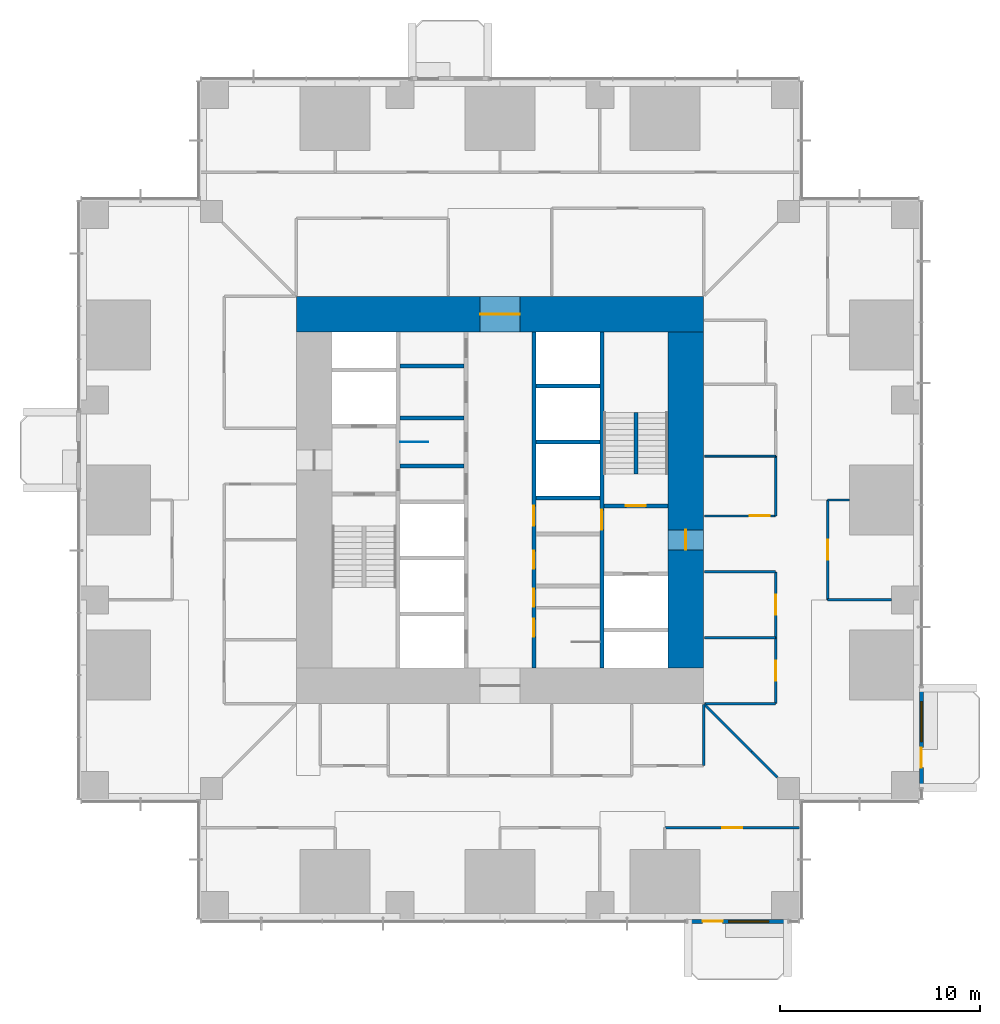
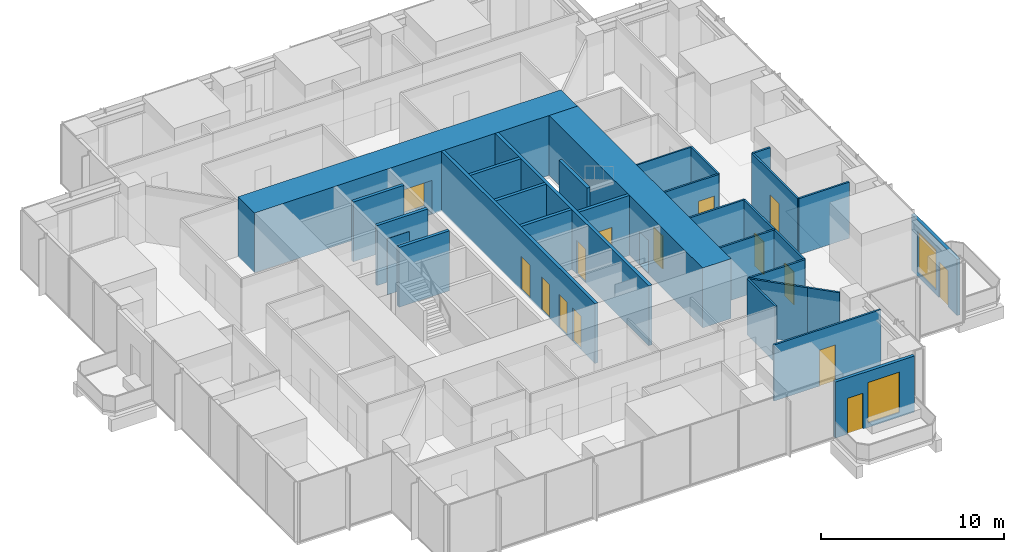
# One storey, part 11 of 16: 30 walls, 15 doors, 2 windows, 17 openings.
"""IFC4 building model written with IfcOpenShell, lengths in metres."""

from ifc_helpers import new_model, si_unit, direction, frame, frame_2d, origin, place, context, subcontext, project, spatial, rectangle, extrude, material, layer, layer_set, type_object, element, fill, save


model = new_model("IFC4")

# Units and contexts
model_context = context("Model", 3, precision=1e-05, world=origin(), true_north=direction((0.0, 1.0)))
body_context = subcontext(model_context, "Body", "Model", "MODEL_VIEW")
ifc_project = project(units=[si_unit("LENGTHUNIT", "METRE"), si_unit("AREAUNIT", "SQUARE_METRE"), si_unit("VOLUMEUNIT", "CUBIC_METRE"), si_unit("PLANEANGLEUNIT", "RADIAN"), si_unit("MASSUNIT", "GRAM", prefix="KILO")], contexts=[model_context])

# Site, building, storey
site_placement = place(None, origin())
site = spatial("IfcSite", under=ifc_project, at=site_placement, CompositionType="ELEMENT")
building_placement = place(site_placement, origin())
building = spatial("IfcBuilding", under=site, at=building_placement, Name="Svetlomir Tower", CompositionType="ELEMENT")
storey_placement = place(building_placement, frame((0.0, 0.0, 58.5)))
storey = spatial("IfcBuildingStorey", under=building, at=storey_placement, Name="L13", CompositionType="ELEMENT", Elevation=58.5)

# Wall, openings, door, window
ifc_material_1 = material(Name="Bronze anodised aluminium glazed screen", Category="aluminium")
ifc_layer_1 = layer(ifc_material_1, 0.199951171875)
ifc_layer_set_1 = layer_set([ifc_layer_1], Name="Bronze anodised aluminium glazed screen")
wall_type_1 = type_object("IfcWallType", Name="BALCONY SCREEN WALL 200", PredefinedType="USERDEFINED", material=ifc_layer_set_1)
wall_1_placement = place(storey_placement, frame((30.39990234375, -0.10009765625, 0.0), z_axis=(0.0, 0.0, 1.0), x_axis=(1.0, 0.0, 0.0)))
wall_1 = element("IfcWall", 1, at=wall_1_placement, inside=storey, type_object=wall_type_1, Name="Balcony screen S", ObjectType="GLAZED SCREEN", PredefinedType="USERDEFINED", context=body_context, shape_type="SweptSolid", body=[
    extrude(rectangle(XDim=5.0, YDim=0.199951171875, at=frame_2d((2.5, 0.0))), origin(), (0.0, 0.0, 1.0), 3.75),
])
opening_1_placement = place(wall_1_placement, frame((0.75, 0.0, 0.0)))
opening_1 = element("IfcOpeningElement", 2, at=opening_1_placement, cuts=wall_1, Name="Opening BD", PredefinedType="OPENING", context=body_context, shape_type="SweptSolid", body=[
    extrude(rectangle(XDim=1.0, YDim=2.39990234375, at=frame_2d((0.5, 1.199951171875))), frame((0.0, 0.10986328125, 0.0), z_axis=(0.0, -1.0, 0.0), x_axis=(1.0, 0.0, 0.0)), (0.0, 0.0, 1.0), 0.219970703125),
])
opening_2_placement = place(wall_1_placement, frame((2.050048828125, 0.0, 0.300048828125)))
opening_2 = element("IfcOpeningElement", 3, at=opening_2_placement, cuts=wall_1, Name="Opening WS", PredefinedType="OPENING", context=body_context, shape_type="SweptSolid", body=[
    extrude(rectangle(XDim=2.0, YDim=2.699951171875, at=frame_2d((1.0, 1.35009765625))), frame((0.0, 0.10986328125, 0.0), z_axis=(0.0, -1.0, 0.0), x_axis=(1.0, 0.0, 0.0)), (0.0, 0.0, 1.0), 0.219970703125),
])
ifc_material_2 = material(Name="Bronze anodised aluminium glazed door", Category="aluminium")
door_type_1 = type_object("IfcDoorType", Name="BALCONY DOOR BD 1000x2400", OperationType="SINGLE_SWING_LEFT", PredefinedType="DOOR", material=ifc_material_2)
door_1_placement = place(opening_1_placement, origin())
door_1 = element("IfcDoor", 4, at=door_1_placement, inside=storey, type_object=door_type_1, Name="Balcony screen S door", OperationType="SINGLE_SWING_LEFT", OverallHeight=2.39990234375, OverallWidth=1.0, PredefinedType="DOOR", context=body_context, shape_type="SweptSolid", body=[
    extrude(rectangle(XDim=1.0, YDim=2.39990234375, at=frame_2d((0.5, 1.199951171875))), frame((0.0, 0.02490234375, 0.0), z_axis=(0.0, -1.0, 0.0), x_axis=(1.0, 0.0, 0.0)), (0.0, 0.0, 1.0), 0.050048828125),
])
fill(opening_1, door_1)
ifc_material_3 = material(Name="Bronze anodised aluminium window", Category="aluminium")
window_type = type_object("IfcWindowType", Name="SCREEN WINDOW WS 2000x2700", PartitioningType="SINGLE_PANEL", PredefinedType="WINDOW", material=ifc_material_3)
window_1_placement = place(opening_2_placement, origin())
window_1 = element("IfcWindow", 5, at=window_1_placement, inside=storey, type_object=window_type, Name="Balcony screen S window 1", OverallHeight=2.699951171875, OverallWidth=2.0, PartitioningType="SINGLE_PANEL", PredefinedType="WINDOW", context=body_context, shape_type="SweptSolid", body=[
    extrude(rectangle(XDim=2.0, YDim=2.699951171875, at=frame_2d((1.0, 1.35009765625))), frame((0.0, 0.030029296875, 0.0), z_axis=(0.0, -1.0, 0.0), x_axis=(1.0, 0.0, 0.0)), (0.0, 0.0, 1.0), 0.06005859375),
])
fill(opening_2, window_1)

wall_2_placement = place(storey_placement, frame((42.10009765625, 6.60009765625, 0.0), z_axis=(0.0, 0.0, 1.0), x_axis=(0.0, 1.0, 0.0)))
wall_2 = element("IfcWall", 6, at=wall_2_placement, inside=storey, type_object=wall_type_1, Name="Balcony screen E", ObjectType="GLAZED SCREEN", PredefinedType="USERDEFINED", context=body_context, shape_type="SweptSolid", body=[
    extrude(rectangle(XDim=5.0, YDim=0.199951171875, at=frame_2d((2.5, 0.0))), origin(), (0.0, 0.0, 1.0), 3.75),
])
opening_3_placement = place(wall_2_placement, frame((1.0, 0.0, 0.0)))
opening_3 = element("IfcOpeningElement", 7, at=opening_3_placement, cuts=wall_2, Name="Opening BD", PredefinedType="OPENING", context=body_context, shape_type="SweptSolid", body=[
    extrude(rectangle(XDim=1.0, YDim=2.39990234375, at=frame_2d((0.5, 1.199951171875))), frame((0.0, 0.10986328125, 0.0), z_axis=(0.0, -1.0, 0.0), x_axis=(1.0, 0.0, 0.0)), (0.0, 0.0, 1.0), 0.219970703125),
])
opening_4_placement = place(wall_2_placement, frame((2.300048828125, 0.0, 0.300048828125)))
opening_4 = element("IfcOpeningElement", 8, at=opening_4_placement, cuts=wall_2, Name="Opening WS", PredefinedType="OPENING", context=body_context, shape_type="SweptSolid", body=[
    extrude(rectangle(XDim=2.0, YDim=2.699951171875, at=frame_2d((1.0, 1.35009765625))), frame((0.0, 0.10986328125, 0.0), z_axis=(0.0, -1.0, 0.0), x_axis=(1.0, 0.0, 0.0)), (0.0, 0.0, 1.0), 0.219970703125),
])
door_2_placement = place(opening_3_placement, origin())
door_2 = element("IfcDoor", 9, at=door_2_placement, inside=storey, type_object=door_type_1, Name="Balcony screen E door", OperationType="SINGLE_SWING_LEFT", OverallHeight=2.39990234375, OverallWidth=1.0, PredefinedType="DOOR", context=body_context, shape_type="SweptSolid", body=[
    extrude(rectangle(XDim=1.0, YDim=2.39990234375, at=frame_2d((0.5, 1.199951171875))), frame((0.0, 0.02490234375, 0.0), z_axis=(0.0, -1.0, 0.0), x_axis=(1.0, 0.0, 0.0)), (0.0, 0.0, 1.0), 0.050048828125),
])
fill(opening_3, door_2)
window_2_placement = place(opening_4_placement, origin())
window_2 = element("IfcWindow", 10, at=window_2_placement, inside=storey, type_object=window_type, Name="Balcony screen E window 1", OverallHeight=2.699951171875, OverallWidth=2.0, PartitioningType="SINGLE_PANEL", PredefinedType="WINDOW", context=body_context, shape_type="SweptSolid", body=[
    extrude(rectangle(XDim=2.0, YDim=2.699951171875, at=frame_2d((1.0, 1.35009765625))), frame((0.0, 0.030029296875, 0.0), z_axis=(0.0, -1.0, 0.0), x_axis=(1.0, 0.0, 0.0)), (0.0, 0.0, 1.0), 0.06005859375),
])
fill(opening_4, window_2)

# Wall, openings, doors
ifc_material_4 = material(Name="Concrete C60/75", Category="concrete")
ifc_layer_2 = layer(ifc_material_4, 0.199951171875)
ifc_layer_set_2 = layer_set([ifc_layer_2], Name="Concrete C60/75")
wall_type_2 = type_object("IfcWallType", Name="CORE INNER WALL 200", PredefinedType="SHEAR", material=ifc_layer_set_2)
wall_3_placement = place(storey_placement, frame((22.699951171875, 12.60009765625, -0.050048828125), z_axis=(0.0, 0.0, 1.0), x_axis=(0.0, 1.0, 0.0)))
wall_3 = element("IfcWall", 11, at=wall_3_placement, inside=storey, type_object=wall_type_2, Name="Core inner wall 22.7 L13", PredefinedType="SHEAR", context=body_context, shape_type="SweptSolid", body=[
    extrude(rectangle(XDim=16.7998046875, YDim=0.199951171875, at=frame_2d((8.39990234375, 0.0))), origin(), (0.0, 0.0, 1.0), 4.0),
])
opening_5_placement = place(wall_3_placement, frame((3.050048828125, 0.0, 0.050048828125)))
opening_5 = element("IfcOpeningElement", 12, at=opening_5_placement, cuts=wall_3, Name="Opening DW", PredefinedType="OPENING", context=body_context, shape_type="SweptSolid", body=[
    extrude(rectangle(XDim=0.89990234375, YDim=2.199951171875, at=frame_2d((0.449951171875, 1.10009765625))), frame((0.0, 0.10986328125, 0.0), z_axis=(0.0, -1.0, 0.0), x_axis=(1.0, 0.0, 0.0)), (0.0, 0.0, 1.0), 0.219970703125),
])
opening_6_placement = place(wall_3_placement, frame((7.10009765625, 0.0, 0.050048828125)))
opening_6 = element("IfcOpeningElement", 13, at=opening_6_placement, cuts=wall_3, Name="Opening DC", PredefinedType="OPENING", context=body_context, shape_type="SweptSolid", body=[
    extrude(rectangle(XDim=1.0, YDim=2.199951171875, at=frame_2d((0.5, 1.10009765625))), frame((0.0, 0.10986328125, 0.0), z_axis=(0.0, -1.0, 0.0), x_axis=(1.0, 0.0, 0.0)), (0.0, 0.0, 1.0), 0.219970703125),
])
opening_7_placement = place(wall_3_placement, frame((1.550048828125, 0.0, 0.050048828125)))
opening_7 = element("IfcOpeningElement", 14, at=opening_7_placement, cuts=wall_3, Name="Opening DW", PredefinedType="OPENING", context=body_context, shape_type="SweptSolid", body=[
    extrude(rectangle(XDim=0.89990234375, YDim=2.199951171875, at=frame_2d((0.449951171875, 1.10009765625))), frame((0.0, 0.10986328125, 0.0), z_axis=(0.0, -1.0, 0.0), x_axis=(1.0, 0.0, 0.0)), (0.0, 0.0, 1.0), 0.219970703125),
])
opening_8_placement = place(wall_3_placement, frame((4.949951171875, 0.0, 0.050048828125)))
opening_8 = element("IfcOpeningElement", 15, at=opening_8_placement, cuts=wall_3, Name="Opening DW", PredefinedType="OPENING", context=body_context, shape_type="SweptSolid", body=[
    extrude(rectangle(XDim=0.89990234375, YDim=2.199951171875, at=frame_2d((0.449951171875, 1.10009765625))), frame((0.0, 0.10986328125, 0.0), z_axis=(0.0, -1.0, 0.0), x_axis=(1.0, 0.0, 0.0)), (0.0, 0.0, 1.0), 0.219970703125),
])
ifc_material_5 = material(Name="Timber fire door", Category="wood")
door_type_2 = type_object("IfcDoorType", Name="DOOR DC 1000x2200", OperationType="SINGLE_SWING_LEFT", PredefinedType="DOOR", material=ifc_material_5)
door_3_placement = place(opening_6_placement, origin())
door_3 = element("IfcDoor", 16, at=door_3_placement, inside=storey, type_object=door_type_2, Name="Core corridor east lobby door L13", OperationType="SINGLE_SWING_LEFT", OverallHeight=2.199951171875, OverallWidth=1.0, PredefinedType="DOOR", context=body_context, shape_type="SweptSolid", body=[
    extrude(rectangle(XDim=1.0, YDim=2.199951171875, at=frame_2d((0.5, 1.10009765625))), frame((0.0, 0.02490234375, 0.0), z_axis=(0.0, -1.0, 0.0), x_axis=(1.0, 0.0, 0.0)), (0.0, 0.0, 1.0), 0.050048828125),
])
fill(opening_6, door_3)
ifc_material_6 = material(Name="Timber fire door", Category="wood")
door_type_3 = type_object("IfcDoorType", Name="DOOR DW 900x2200", OperationType="SINGLE_SWING_LEFT", PredefinedType="DOOR", material=ifc_material_6)
door_4_placement = place(opening_5_placement, origin())
door_4 = element("IfcDoor", 17, at=door_4_placement, inside=storey, type_object=door_type_3, Name="Shower and changing room door L13", OperationType="SINGLE_SWING_LEFT", OverallHeight=2.199951171875, OverallWidth=0.89990234375, PredefinedType="DOOR", context=body_context, shape_type="SweptSolid", body=[
    extrude(rectangle(XDim=0.89990234375, YDim=2.199951171875, at=frame_2d((0.449951171875, 1.10009765625))), frame((0.0, 0.02490234375, 0.0), z_axis=(0.0, -1.0, 0.0), x_axis=(1.0, 0.0, 0.0)), (0.0, 0.0, 1.0), 0.050048828125),
])
fill(opening_5, door_4)
door_5_placement = place(opening_7_placement, origin())
door_5 = element("IfcDoor", 18, at=door_5_placement, inside=storey, type_object=door_type_3, Name="Male WC door L13", OperationType="SINGLE_SWING_RIGHT", OverallHeight=2.199951171875, OverallWidth=0.89990234375, PredefinedType="DOOR", context=body_context, shape_type="SweptSolid", body=[
    extrude(rectangle(XDim=0.89990234375, YDim=2.199951171875, at=frame_2d((0.449951171875, 1.10009765625))), frame((0.0, 0.02490234375, 0.0), z_axis=(0.0, -1.0, 0.0), x_axis=(1.0, 0.0, 0.0)), (0.0, 0.0, 1.0), 0.050048828125),
])
fill(opening_7, door_5)
door_6_placement = place(opening_8_placement, origin())
door_6 = element("IfcDoor", 19, at=door_6_placement, inside=storey, type_object=door_type_3, Name="Comms room door L13", OperationType="SINGLE_SWING_RIGHT", OverallHeight=2.199951171875, OverallWidth=0.89990234375, PredefinedType="DOOR", context=body_context, shape_type="SweptSolid", body=[
    extrude(rectangle(XDim=0.89990234375, YDim=2.199951171875, at=frame_2d((0.449951171875, 1.10009765625))), frame((0.0, 0.02490234375, 0.0), z_axis=(0.0, -1.0, 0.0), x_axis=(1.0, 0.0, 0.0)), (0.0, 0.0, 1.0), 0.050048828125),
])
fill(opening_8, door_6)

# Wall, opening, door
wall_4_placement = place(storey_placement, frame((26.10009765625, 12.60009765625, -0.050048828125), z_axis=(0.0, 0.0, 1.0), x_axis=(0.0, 1.0, 0.0)))
wall_4 = element("IfcWall", 20, at=wall_4_placement, inside=storey, type_object=wall_type_2, Name="Core inner wall 26.1 L13", PredefinedType="SHEAR", context=body_context, shape_type="SweptSolid", body=[
    extrude(rectangle(XDim=16.7998046875, YDim=0.199951171875, at=frame_2d((8.39990234375, 0.0))), origin(), (0.0, 0.0, 1.0), 4.0),
])
opening_9_placement = place(wall_4_placement, frame((6.89990234375, 0.0, 0.050048828125)))
opening_9 = element("IfcOpeningElement", 21, at=opening_9_placement, cuts=wall_4, Name="Opening DF", PredefinedType="OPENING", context=body_context, shape_type="SweptSolid", body=[
    extrude(rectangle(XDim=1.0, YDim=2.199951171875, at=frame_2d((0.5, 1.10009765625))), frame((0.0, 0.10986328125, 0.0), z_axis=(0.0, -1.0, 0.0), x_axis=(1.0, 0.0, 0.0)), (0.0, 0.0, 1.0), 0.219970703125),
])
ifc_material_7 = material(Name="Steel fire door", Category="steel")
door_type_4 = type_object("IfcDoorType", Name="DOOR DF 1000x2200", OperationType="SINGLE_SWING_LEFT", PredefinedType="DOOR", material=ifc_material_7)
door_7_placement = place(opening_9_placement, origin())
door_7 = element("IfcDoor", 22, at=door_7_placement, inside=storey, type_object=door_type_4, Name="Core corridor east door L13", OperationType="SINGLE_SWING_LEFT", OverallHeight=2.199951171875, OverallWidth=1.0, PredefinedType="DOOR", context=body_context, shape_type="SweptSolid", body=[
    extrude(rectangle(XDim=1.0, YDim=2.199951171875, at=frame_2d((0.5, 1.10009765625))), frame((0.0, 0.02490234375, 0.0), z_axis=(0.0, -1.0, 0.0), x_axis=(1.0, 0.0, 0.0)), (0.0, 0.0, 1.0), 0.050048828125),
])
fill(opening_9, door_7)

# Walls
for number, where, z_axis, x_axis, name in (
    (23, (16.0, 22.699951171875, -0.050048828125), (0.0, 0.0, 1.0), (1.0, 0.0, 0.0), "Core inner wall 16-19.2/22.7 L13"),
    (24, (16.0, 25.10009765625, -0.050048828125), (0.0, 0.0, 1.0), (1.0, 0.0, 0.0), "Core inner wall 16-19.2/25.1 L13"),
    (25, (16.0, 27.699951171875, -0.050048828125), (0.0, 0.0, 1.0), (1.0, 0.0, 0.0), "Core inner wall 16-19.2/27.7 L13"),
    (26, (22.800048828125, 21.10009765625, -0.050048828125), (0.0, 0.0, 1.0), (1.0, 0.0, 0.0), "Core inner wall 22.8-26/21.1 L13"),
    (27, (22.800048828125, 23.89990234375, -0.050048828125), (0.0, 0.0, 1.0), (1.0, 0.0, 0.0), "Core inner wall 22.8-26/23.9 L13"),
    (28, (22.800048828125, 26.699951171875, -0.050048828125), (0.0, 0.0, 1.0), (1.0, 0.0, 0.0), "Core inner wall 22.8-26/26.7 L13"),
):
    element("IfcWall", number, at=place(storey_placement, frame(where, z_axis=z_axis, x_axis=x_axis)), inside=storey, type_object=wall_type_2, Name=name, PredefinedType="SHEAR", context=body_context, shape_type="SweptSolid", body=[
        extrude(rectangle(XDim=3.199951171875, YDim=0.199951171875, at=frame_2d((1.60009765625, 0.0))), origin(), (0.0, 0.0, 1.0), 4.0),
    ])

# Wall, opening, door
wall_5_placement = place(storey_placement, frame((26.199951171875, 20.699951171875, -0.050048828125), z_axis=(0.0, 0.0, 1.0), x_axis=(1.0, 0.0, 0.0)))
wall_5 = element("IfcWall", 29, at=wall_5_placement, inside=storey, type_object=wall_type_2, Name="Core inner wall 26.2-29.4/20.7 L13", PredefinedType="SHEAR", context=body_context, shape_type="SweptSolid", body=[
    extrude(rectangle(XDim=3.199951171875, YDim=0.199951171875, at=frame_2d((1.60009765625, 0.0))), origin(), (0.0, 0.0, 1.0), 4.0),
])
opening_10_placement = place(wall_5_placement, frame((1.10009765625, 0.0, 0.050048828125)))
opening_10 = element("IfcOpeningElement", 30, at=opening_10_placement, cuts=wall_5, Name="Opening DF", PredefinedType="OPENING", context=body_context, shape_type="SweptSolid", body=[
    extrude(rectangle(XDim=1.0, YDim=2.199951171875, at=frame_2d((0.5, 1.10009765625))), frame((0.0, 0.10986328125, 0.0), z_axis=(0.0, -1.0, 0.0), x_axis=(1.0, 0.0, 0.0)), (0.0, 0.0, 1.0), 0.219970703125),
])
door_8_placement = place(opening_10_placement, origin())
door_8 = element("IfcDoor", 31, at=door_8_placement, inside=storey, type_object=door_type_4, Name="Stair S2 door L13", OperationType="SINGLE_SWING_LEFT", OverallHeight=2.199951171875, OverallWidth=1.0, PredefinedType="DOOR", context=body_context, shape_type="SweptSolid", body=[
    extrude(rectangle(XDim=1.0, YDim=2.199951171875, at=frame_2d((0.5, 1.10009765625))), frame((0.0, 0.02490234375, 0.0), z_axis=(0.0, -1.0, 0.0), x_axis=(1.0, 0.0, 0.0)), (0.0, 0.0, 1.0), 0.050048828125),
])
fill(opening_10, door_8)

ifc_material_8 = material(Name="Concrete C60/75", Category="concrete")
ifc_layer_3 = layer(ifc_material_8, 1.800048828125)
ifc_layer_set_3 = layer_set([ifc_layer_3], Name="Concrete C60/75")
wall_type_3 = type_object("IfcWallType", Name="CORE WALL 1800", PredefinedType="SHEAR", material=ifc_layer_set_3)
wall_6_placement = place(storey_placement, frame((10.800048828125, 30.300048828125, -0.050048828125), z_axis=(0.0, 0.0, 1.0), x_axis=(1.0, 0.0, 0.0)))
wall_6 = element("IfcWall", 32, at=wall_6_placement, inside=storey, type_object=wall_type_3, Name="Core wall north L13", PredefinedType="SHEAR", context=body_context, shape_type="SweptSolid", body=[
    extrude(rectangle(XDim=20.39990234375, YDim=1.800048828125, at=frame_2d((10.199951171875, 0.0))), origin(), (0.0, 0.0, 1.0), 4.0),
])
opening_11_placement = place(wall_6_placement, frame((9.199951171875, 0.0, 0.050048828125)))
opening_11 = element("IfcOpeningElement", 33, at=opening_11_placement, cuts=wall_6, Name="Opening DL", PredefinedType="OPENING", context=body_context, shape_type="SweptSolid", body=[
    extrude(rectangle(XDim=2.0, YDim=2.199951171875, at=frame_2d((1.0, 1.10009765625))), frame((0.0, 0.91015625, 0.0), z_axis=(0.0, -1.0, 0.0), x_axis=(1.0, 0.0, 0.0)), (0.0, 0.0, 1.0), 1.820068359375),
])
ifc_material_9 = material(Name="Steel fire door", Category="steel")
door_type_5 = type_object("IfcDoorType", Name="DOOR DL 2000x2200", OperationType="DOUBLE_DOOR_SINGLE_SWING", PredefinedType="DOOR", material=ifc_material_9)
door_9_placement = place(opening_11_placement, origin())
door_9 = element("IfcDoor", 34, at=door_9_placement, inside=storey, type_object=door_type_5, Name="Lift lobby north door L13", OperationType="DOUBLE_DOOR_SINGLE_SWING", OverallHeight=2.199951171875, OverallWidth=2.0, PredefinedType="DOOR", context=body_context, shape_type="SweptSolid", body=[
    extrude(rectangle(XDim=2.0, YDim=2.199951171875, at=frame_2d((1.0, 1.10009765625))), frame((0.0, 0.02490234375, 0.0), z_axis=(0.0, -1.0, 0.0), x_axis=(1.0, 0.0, 0.0)), (0.0, 0.0, 1.0), 0.050048828125),
])
fill(opening_11, door_9)

wall_7_placement = place(storey_placement, frame((30.300048828125, 12.60009765625, -0.050048828125), z_axis=(0.0, 0.0, 1.0), x_axis=(0.0, 1.0, 0.0)))
wall_7 = element("IfcWall", 35, at=wall_7_placement, inside=storey, type_object=wall_type_3, Name="Core wall east L13", PredefinedType="SHEAR", context=body_context, shape_type="SweptSolid", body=[
    extrude(rectangle(XDim=16.7998046875, YDim=1.800048828125, at=frame_2d((8.39990234375, 0.0))), origin(), (0.0, 0.0, 1.0), 4.0),
])
opening_12_placement = place(wall_7_placement, frame((5.89990234375, 0.0, 0.050048828125)))
opening_12 = element("IfcOpeningElement", 36, at=opening_12_placement, cuts=wall_7, Name="Opening DF", PredefinedType="OPENING", context=body_context, shape_type="SweptSolid", body=[
    extrude(rectangle(XDim=1.0, YDim=2.199951171875, at=frame_2d((0.5, 1.10009765625))), frame((0.0, 0.91015625, 0.0), z_axis=(0.0, -1.0, 0.0), x_axis=(1.0, 0.0, 0.0)), (0.0, 0.0, 1.0), 1.820068359375),
])
door_10_placement = place(opening_12_placement, origin())
door_10 = element("IfcDoor", 37, at=door_10_placement, inside=storey, type_object=door_type_4, Name="Firefighting lobby east door L13", OperationType="SINGLE_SWING_LEFT", OverallHeight=2.199951171875, OverallWidth=1.0, PredefinedType="DOOR", context=body_context, shape_type="SweptSolid", body=[
    extrude(rectangle(XDim=1.0, YDim=2.199951171875, at=frame_2d((0.5, 1.10009765625))), frame((0.0, 0.02490234375, 0.0), z_axis=(0.0, -1.0, 0.0), x_axis=(1.0, 0.0, 0.0)), (0.0, 0.0, 1.0), 0.050048828125),
])
fill(opening_12, door_10)

# Wall
ifc_material_10 = material(Name="Framed laminated glass partition", Category="glass")
ifc_layer_4 = layer(ifc_material_10, 0.10009765625)
ifc_layer_set_4 = layer_set([ifc_layer_4], Name="Framed laminated glass partition")
wall_type_4 = type_object("IfcWallType", Name="GLAZED PARTITION 100", PredefinedType="PARTITIONING", material=ifc_layer_set_4)
wall_8_placement = place(storey_placement, frame((31.25, 23.199951171875, 0.0), z_axis=(0.0, 0.0, 1.0), x_axis=(1.0, 0.0, 0.0)))
element("IfcWall", 38, at=wall_8_placement, inside=storey, type_object=wall_type_4, Name="Glazed partition L13", PredefinedType="PARTITIONING", context=body_context, shape_type="SweptSolid", body=[
    extrude(rectangle(XDim=3.550048828125, YDim=0.10009765625, at=frame_2d((1.77490234375, 0.0))), origin(), (0.0, 0.0, 1.0), 3.75),
])

# Wall, opening, door
ifc_material_11 = material(Name="Gypsum board on steel studs", Category="steel")
ifc_layer_5 = layer(ifc_material_11, 0.1201171875)
ifc_layer_set_5 = layer_set([ifc_layer_5], Name="Gypsum board on steel studs")
wall_type_5 = type_object("IfcWallType", Name="PARTITION 120", PredefinedType="PARTITIONING", material=ifc_layer_set_5)
wall_9_placement = place(storey_placement, frame((29.25, 4.60009765625, 0.0), z_axis=(0.0, 0.0, 1.0), x_axis=(1.0, 0.0, 0.0)))
wall_9 = element("IfcWall", 39, at=wall_9_placement, inside=storey, type_object=wall_type_5, Name="Partition L13", PredefinedType="PARTITIONING", context=body_context, shape_type="SweptSolid", body=[
    extrude(rectangle(XDim=6.75, YDim=0.1201171875, at=frame_2d((3.375, 0.0))), origin(), (0.0, 0.0, 1.0), 3.75),
])
opening_13_placement = place(wall_9_placement, frame((2.875, 0.0, 0.0)))
opening_13 = element("IfcOpeningElement", 40, at=opening_13_placement, cuts=wall_9, Name="Opening DG", PredefinedType="OPENING", context=body_context, shape_type="SweptSolid", body=[
    extrude(rectangle(XDim=1.0, YDim=2.39990234375, at=frame_2d((0.5, 1.199951171875))), frame((0.0, 0.070068359375, 0.0), z_axis=(0.0, -1.0, 0.0), x_axis=(1.0, 0.0, 0.0)), (0.0, 0.0, 1.0), 0.14013671875),
])
ifc_material_12 = material(Name="Framed laminated glass door", Category="glass")
door_type_6 = type_object("IfcDoorType", Name="GLAZED DOOR DG 1000x2400", OperationType="SINGLE_SWING_LEFT", PredefinedType="DOOR", material=ifc_material_12)
door_11_placement = place(opening_13_placement, origin())
door_11 = element("IfcDoor", 41, at=door_11_placement, inside=storey, type_object=door_type_6, Name="Break-out and kitchenette door L13", OperationType="SINGLE_SWING_LEFT", OverallHeight=2.39990234375, OverallWidth=1.0, PredefinedType="DOOR", context=body_context, shape_type="SweptSolid", body=[
    extrude(rectangle(XDim=1.0, YDim=2.39990234375, at=frame_2d((0.5, 1.199951171875))), frame((0.0, 0.02490234375, 0.0), z_axis=(0.0, -1.0, 0.0), x_axis=(1.0, 0.0, 0.0)), (0.0, 0.0, 1.0), 0.050048828125),
])
fill(opening_13, door_11)

# Walls
wall_10_placement = place(storey_placement, frame((31.199951171875, 7.699951171875, 0.0), z_axis=(0.0, 0.0, 1.0), x_axis=(0.0, 1.0, 0.0)))
element("IfcWall", 42, at=wall_10_placement, inside=storey, type_object=wall_type_5, Name="Partition L13", PredefinedType="PARTITIONING", context=body_context, shape_type="SweptSolid", body=[
    extrude(rectangle(XDim=3.050048828125, YDim=0.1201171875, at=frame_2d((1.52490234375, 0.0))), origin(), (0.0, 0.0, 1.0), 3.75),
])
wall_11_placement = place(storey_placement, frame((31.2353515625, 10.7646484375, 0.0), z_axis=(0.0, 0.0, 1.0), x_axis=(0.707106781187, -0.707106781187, 0.0)))
element("IfcWall", 43, at=wall_11_placement, inside=storey, type_object=wall_type_5, Name="Partition L13", PredefinedType="PARTITIONING", context=body_context, shape_type="SweptSolid", body=[
    extrude(rectangle(XDim=3.346435546875, YDim=0.1201171875, at=frame_2d((1.67333984375, 0.0))), origin(), (0.0, 0.0, 1.0), 3.75),
])
for number, where, z_axis, x_axis, name in (
    (44, (31.25, 10.800048828125, 0.0), (0.0, 0.0, 1.0), (1.0, 0.0, 0.0), "Partition L13"),
    (45, (31.25, 14.10009765625, 0.0), (0.0, 0.0, 1.0), (1.0, 0.0, 0.0), "Partition L13"),
    (46, (31.25, 17.39990234375, 0.0), (0.0, 0.0, 1.0), (1.0, 0.0, 0.0), "Partition L13"),
):
    element("IfcWall", number, at=place(storey_placement, frame(where, z_axis=z_axis, x_axis=x_axis)), inside=storey, type_object=wall_type_5, Name=name, PredefinedType="PARTITIONING", context=body_context, shape_type="SweptSolid", body=[
        extrude(rectangle(XDim=3.550048828125, YDim=0.1201171875, at=frame_2d((1.77490234375, 0.0))), origin(), (0.0, 0.0, 1.0), 3.75),
    ])

# Wall, opening, door
wall_12_placement = place(storey_placement, frame((31.25, 20.199951171875, 0.0), z_axis=(0.0, 0.0, 1.0), x_axis=(1.0, 0.0, 0.0)))
wall_12 = element("IfcWall", 47, at=wall_12_placement, inside=storey, type_object=wall_type_5, Name="Partition L13", PredefinedType="PARTITIONING", context=body_context, shape_type="SweptSolid", body=[
    extrude(rectangle(XDim=3.550048828125, YDim=0.1201171875, at=frame_2d((1.77490234375, 0.0))), origin(), (0.0, 0.0, 1.0), 3.75),
])
opening_14_placement = place(wall_12_placement, frame((2.25, 0.0, 0.0)))
opening_14 = element("IfcOpeningElement", 48, at=opening_14_placement, cuts=wall_12, Name="Opening DG", PredefinedType="OPENING", context=body_context, shape_type="SweptSolid", body=[
    extrude(rectangle(XDim=1.0, YDim=2.39990234375, at=frame_2d((0.5, 1.199951171875))), frame((0.0, 0.070068359375, 0.0), z_axis=(0.0, -1.0, 0.0), x_axis=(1.0, 0.0, 0.0)), (0.0, 0.0, 1.0), 0.14013671875),
])
door_12_placement = place(opening_14_placement, origin())
door_12 = element("IfcDoor", 49, at=door_12_placement, inside=storey, type_object=door_type_6, Name="Ring corridor 3 door 3 L13", OperationType="SINGLE_SWING_RIGHT", OverallHeight=2.39990234375, OverallWidth=1.0, PredefinedType="DOOR", context=body_context, shape_type="SweptSolid", body=[
    extrude(rectangle(XDim=1.0, YDim=2.39990234375, at=frame_2d((0.5, 1.199951171875))), frame((0.0, 0.02490234375, 0.0), z_axis=(0.0, -1.0, 0.0), x_axis=(1.0, 0.0, 0.0)), (0.0, 0.0, 1.0), 0.050048828125),
])
fill(opening_14, door_12)

# Wall
wall_13_placement = place(storey_placement, frame((33.6015625, 8.3984375, 0.0), z_axis=(0.0, 0.0, 1.0), x_axis=(0.707106781187, -0.707106781187, 0.0)))
element("IfcWall", 50, at=wall_13_placement, inside=storey, type_object=wall_type_5, Name="Partition L13", PredefinedType="PARTITIONING", context=body_context, shape_type="SweptSolid", body=[
    extrude(rectangle(XDim=1.822021484375, YDim=0.1201171875, at=frame_2d((0.9111328125, 0.0))), origin(), (0.0, 0.0, 1.0), 3.75),
])

# Wall, opening, door
wall_14_placement = place(storey_placement, frame((34.800048828125, 10.800048828125, 0.0), z_axis=(0.0, 0.0, 1.0), x_axis=(0.0, 1.0, 0.0)))
wall_14 = element("IfcWall", 51, at=wall_14_placement, inside=storey, type_object=wall_type_5, Name="Partition L13", PredefinedType="PARTITIONING", context=body_context, shape_type="SweptSolid", body=[
    extrude(rectangle(XDim=3.300048828125, YDim=0.1201171875, at=frame_2d((1.64990234375, 0.0))), origin(), (0.0, 0.0, 1.0), 3.75),
])
opening_15_placement = place(wall_14_placement, frame((1.14990234375, 0.0, 0.0)))
opening_15 = element("IfcOpeningElement", 52, at=opening_15_placement, cuts=wall_14, Name="Opening DR", PredefinedType="OPENING", context=body_context, shape_type="SweptSolid", body=[
    extrude(rectangle(XDim=1.0, YDim=2.199951171875, at=frame_2d((0.5, 1.10009765625))), frame((0.0, 0.070068359375, 0.0), z_axis=(0.0, -1.0, 0.0), x_axis=(1.0, 0.0, 0.0)), (0.0, 0.0, 1.0), 0.14013671875),
])
ifc_material_13 = material(Name="Timber door, glazed side light", Category="wood")
door_type_7 = type_object("IfcDoorType", Name="DOOR DR 1000x2200", OperationType="SINGLE_SWING_LEFT", PredefinedType="DOOR", material=ifc_material_13)
door_13_placement = place(opening_15_placement, origin())
door_13 = element("IfcDoor", 53, at=door_13_placement, inside=storey, type_object=door_type_7, Name="Team leader office door L13", OperationType="SINGLE_SWING_RIGHT", OverallHeight=2.199951171875, OverallWidth=1.0, PredefinedType="DOOR", context=body_context, shape_type="SweptSolid", body=[
    extrude(rectangle(XDim=1.0, YDim=2.199951171875, at=frame_2d((0.5, 1.10009765625))), frame((0.0, 0.02490234375, 0.0), z_axis=(0.0, -1.0, 0.0), x_axis=(1.0, 0.0, 0.0)), (0.0, 0.0, 1.0), 0.050048828125),
])
fill(opening_15, door_13)

wall_15_placement = place(storey_placement, frame((34.800048828125, 14.10009765625, 0.0), z_axis=(0.0, 0.0, 1.0), x_axis=(0.0, 1.0, 0.0)))
wall_15 = element("IfcWall", 54, at=wall_15_placement, inside=storey, type_object=wall_type_5, Name="Partition L13", PredefinedType="PARTITIONING", context=body_context, shape_type="SweptSolid", body=[
    extrude(rectangle(XDim=3.2998046875, YDim=0.1201171875, at=frame_2d((1.64990234375, 0.0))), origin(), (0.0, 0.0, 1.0), 3.75),
])
opening_16_placement = place(wall_15_placement, frame((1.14990234375, 0.0, 0.0)))
opening_16 = element("IfcOpeningElement", 55, at=opening_16_placement, cuts=wall_15, Name="Opening DR", PredefinedType="OPENING", context=body_context, shape_type="SweptSolid", body=[
    extrude(rectangle(XDim=1.0, YDim=2.199951171875, at=frame_2d((0.5, 1.10009765625))), frame((0.0, 0.070068359375, 0.0), z_axis=(0.0, -1.0, 0.0), x_axis=(1.0, 0.0, 0.0)), (0.0, 0.0, 1.0), 0.14013671875),
])
door_14_placement = place(opening_16_placement, origin())
door_14 = element("IfcDoor", 56, at=door_14_placement, inside=storey, type_object=door_type_7, Name="Section head office door L13", OperationType="SINGLE_SWING_LEFT", OverallHeight=2.199951171875, OverallWidth=1.0, PredefinedType="DOOR", context=body_context, shape_type="SweptSolid", body=[
    extrude(rectangle(XDim=1.0, YDim=2.199951171875, at=frame_2d((0.5, 1.10009765625))), frame((0.0, 0.02490234375, 0.0), z_axis=(0.0, -1.0, 0.0), x_axis=(1.0, 0.0, 0.0)), (0.0, 0.0, 1.0), 0.050048828125),
])
fill(opening_16, door_14)

# Wall
wall_16_placement = place(storey_placement, frame((34.800048828125, 20.199951171875, 0.0), z_axis=(0.0, 0.0, 1.0), x_axis=(0.0, 1.0, 0.0)))
element("IfcWall", 57, at=wall_16_placement, inside=storey, type_object=wall_type_5, Name="Partition L13", PredefinedType="PARTITIONING", context=body_context, shape_type="SweptSolid", body=[
    extrude(rectangle(XDim=3.0, YDim=0.1201171875, at=frame_2d((1.5, 0.0))), origin(), (0.0, 0.0, 1.0), 3.75),
])

# Wall, opening, door
wall_17_placement = place(storey_placement, frame((37.39990234375, 16.0, 0.0), z_axis=(0.0, 0.0, 1.0), x_axis=(0.0, 1.0, 0.0)))
wall_17 = element("IfcWall", 58, at=wall_17_placement, inside=storey, type_object=wall_type_5, Name="Partition L13", PredefinedType="PARTITIONING", context=body_context, shape_type="SweptSolid", body=[
    extrude(rectangle(XDim=5.0, YDim=0.1201171875, at=frame_2d((2.5, 0.0))), origin(), (0.0, 0.0, 1.0), 3.75),
])
opening_17_placement = place(wall_17_placement, frame((2.0, 0.0, 0.0)))
opening_17 = element("IfcOpeningElement", 59, at=opening_17_placement, cuts=wall_17, Name="Opening DR", PredefinedType="OPENING", context=body_context, shape_type="SweptSolid", body=[
    extrude(rectangle(XDim=1.0, YDim=2.199951171875, at=frame_2d((0.5, 1.10009765625))), frame((0.0, 0.070068359375, 0.0), z_axis=(0.0, -1.0, 0.0), x_axis=(1.0, 0.0, 0.0)), (0.0, 0.0, 1.0), 0.14013671875),
])
door_15_placement = place(opening_17_placement, origin())
door_15 = element("IfcDoor", 60, at=door_15_placement, inside=storey, type_object=door_type_7, Name="Data architecture office door L13", OperationType="SINGLE_SWING_RIGHT", OverallHeight=2.199951171875, OverallWidth=1.0, PredefinedType="DOOR", context=body_context, shape_type="SweptSolid", body=[
    extrude(rectangle(XDim=1.0, YDim=2.199951171875, at=frame_2d((0.5, 1.10009765625))), frame((0.0, 0.02490234375, 0.0), z_axis=(0.0, -1.0, 0.0), x_axis=(1.0, 0.0, 0.0)), (0.0, 0.0, 1.0), 0.050048828125),
])
fill(opening_17, door_15)

# Walls
wall_18_placement = place(storey_placement, frame((37.39990234375, 16.0, 0.0), z_axis=(0.0, 0.0, 1.0), x_axis=(1.0, 0.0, 0.0)))
element("IfcWall", 61, at=wall_18_placement, inside=storey, type_object=wall_type_5, Name="Partition L13", PredefinedType="PARTITIONING", context=body_context, shape_type="SweptSolid", body=[
    extrude(rectangle(XDim=3.190185546875, YDim=0.1201171875, at=frame_2d((1.59521484375, 0.0))), origin(), (0.0, 0.0, 1.0), 3.75),
])
wall_19_placement = place(storey_placement, frame((37.39990234375, 21.0, 0.0), z_axis=(0.0, 0.0, 1.0), x_axis=(1.0, 0.0, 0.0)))
element("IfcWall", 62, at=wall_19_placement, inside=storey, type_object=wall_type_5, Name="Partition L13", PredefinedType="PARTITIONING", context=body_context, shape_type="SweptSolid", body=[
    extrude(rectangle(XDim=1.090087890625, YDim=0.1201171875, at=frame_2d((0.544921875, 0.0))), origin(), (0.0, 0.0, 1.0), 3.75),
])
ifc_material_14 = material(Name="Concrete C60/75", Category="concrete")
ifc_layer_6 = layer(ifc_material_14, 0.199951171875)
ifc_layer_set_6 = layer_set([ifc_layer_6], Name="Concrete C60/75")
wall_type_6 = type_object("IfcWallType", Name="STAIR SPINE WALL 200", PredefinedType="PARTITIONING", material=ifc_layer_set_6)
wall_20_placement = place(storey_placement, frame((27.800048828125, 22.300048828125, 0.0), z_axis=(0.0, 0.0, 1.0), x_axis=(0.0, 1.0, 0.0)))
element("IfcWall", 63, at=wall_20_placement, inside=storey, type_object=wall_type_6, Name="Stair S2 spine wall L13", PredefinedType="PARTITIONING", context=body_context, shape_type="SweptSolid", body=[
    extrude(rectangle(XDim=3.079833984375, YDim=0.199951171875, at=frame_2d((1.5400390625, 0.0))), origin(), (0.0, 0.0, 1.0), 4.0),
])
ifc_material_15 = material(Name="Compact laminate panel", Category="plastic")
ifc_layer_7 = layer(ifc_material_15, 0.030029296875)
ifc_layer_set_7 = layer_set([ifc_layer_7], Name="Compact laminate panel")
wall_type_7 = type_object("IfcWallType", Name="WC CUBICLE PARTITION 30", PredefinedType="PARTITIONING", material=ifc_layer_set_7)
wall_21_placement = place(storey_placement, frame((16.0, 23.89990234375, 0.0), z_axis=(0.0, 0.0, 1.0), x_axis=(1.0, 0.0, 0.0)))
element("IfcWall", 64, at=wall_21_placement, inside=storey, type_object=wall_type_7, Name="WC cubicle partition L13", PredefinedType="PARTITIONING", context=body_context, shape_type="SweptSolid", body=[
    extrude(rectangle(XDim=1.39990234375, YDim=0.030029296875, at=frame_2d((0.699951171875, 0.0))), origin(), (0.0, 0.0, 1.0), 3.75),
])

save(model, "model.ifc")
